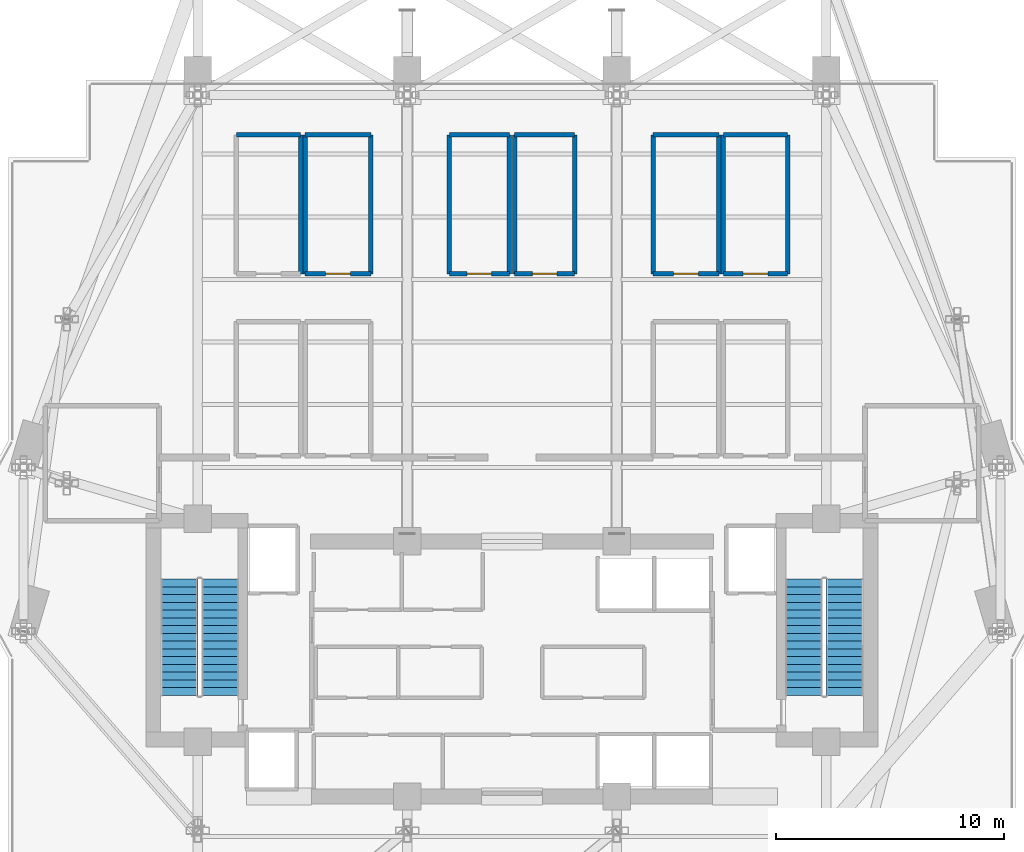
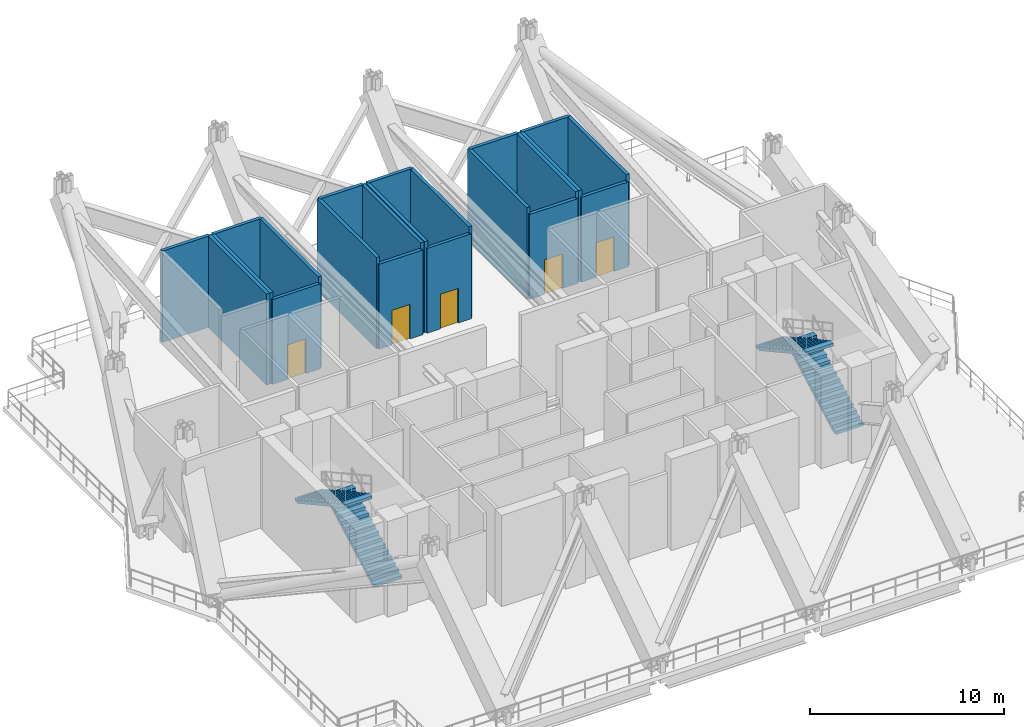
# One storey, part 14 of 18: 22 walls, 5 doors, 4 stair flights, 5 openings, 2 elements without a shape of their own.
"""IFC4 building model written with IfcOpenShell, lengths in metres."""

from ifc_helpers import new_model, si_unit, direction, frame, frame_2d, origin, place, context, subcontext, project, spatial, polyline, rectangle, outline, extrude, material, layer, layer_set, type_object, element, fill, aggregate, save


model = new_model("IFC4")

# Units and contexts
model_context = context("Model", 3, precision=1e-05, world=origin(), true_north=direction((0.0, 1.0)))
body_context = subcontext(model_context, "Body", "Model", "MODEL_VIEW")
ifc_project = project(units=[si_unit("LENGTHUNIT", "METRE"), si_unit("AREAUNIT", "SQUARE_METRE"), si_unit("VOLUMEUNIT", "CUBIC_METRE"), si_unit("PLANEANGLEUNIT", "RADIAN"), si_unit("MASSUNIT", "GRAM", prefix="KILO")], contexts=[model_context])

# Site, building, storey
site_placement = place(None, origin())
site = spatial("IfcSite", under=ifc_project, at=site_placement, CompositionType="ELEMENT")
building_placement = place(site_placement, origin())
building = spatial("IfcBuilding", under=site, at=building_placement, Name="Zuhayl Quay Hotel", CompositionType="ELEMENT")
storey_placement = place(building_placement, frame((0.0, 0.0, 233.64990234375)))
storey = spatial("IfcBuildingStorey", under=building, at=storey_placement, Name="L59", CompositionType="ELEMENT", Elevation=233.64990234375)

# Wall, opening, door
ifc_material_1 = material(Name="Gypsum Fireboard Assembly EI-120")
ifc_layer_1 = layer(ifc_material_1, 0.199951171875, Name="Gypsum Fireboard Assembly EI-120")
ifc_layer_set_1 = layer_set([ifc_layer_1], Name="Gypsum Fireboard Assembly EI-120")
wall_type = type_object("IfcWallType", Name="WL_PART_SHAFT_200", PredefinedType="PARTITIONING", material=ifc_layer_set_1)
wall_1_placement = place(storey_placement, frame((-9.080078125, 25.10009765625, 0.0), z_axis=(0.0, 0.0, 1.0), x_axis=(1.0, 0.0, 0.0)))
wall_1 = element("IfcWall", 1, at=wall_1_placement, inside=storey, type_object=wall_type, Name="L59 Partition IW_L59_MEP_SMK_S", PredefinedType="PARTITIONING", context=body_context, shape_type="SweptSolid", body=[
    extrude(rectangle(XDim=2.880126953125, YDim=0.199951171875, at=frame_2d((1.43994140625, 0.0))), origin(), (0.0, 0.0, 1.0), 5.336181640625),
])
opening_1_placement = place(wall_1_placement, frame((0.89990234375, 0.0, 0.0)))
opening_1 = element("IfcOpeningElement", 2, at=opening_1_placement, cuts=wall_1, Name="Opening D05A", PredefinedType="OPENING", context=body_context, shape_type="SweptSolid", body=[
    extrude(rectangle(XDim=1.080078125, YDim=2.179931640625, at=frame_2d((0.5400390625, 1.08984375))), frame((0.0, 0.10986328125, 0.0), z_axis=(0.0, -1.0, 0.0), x_axis=(1.0, 0.0, 0.0)), (0.0, 0.0, 1.0), 0.219970703125),
])
ifc_material_2 = material(Name="Solid Walnut Acoustic Fire Door")
door_type = type_object("IfcDoorType", Name="DR_INT_1100", OperationType="NOTDEFINED", PredefinedType="DOOR", material=ifc_material_2)
door_1_placement = place(opening_1_placement, origin())
door_1 = element("IfcDoor", 3, at=door_1_placement, inside=storey, type_object=door_type, Name="L59 Smoke-Extract Fan Plant Room Door", OperationType="SINGLE_SWING_LEFT", OverallHeight=2.179931640625, OverallWidth=1.080078125, PredefinedType="DOOR", context=body_context, shape_type="SweptSolid", body=[
    extrude(rectangle(XDim=1.080078125, YDim=2.179931640625, at=frame_2d((0.5400390625, 1.08984375))), frame((0.0, 0.02490234375, 0.0), z_axis=(0.0, -1.0, 0.0), x_axis=(1.0, 0.0, 0.0)), (0.0, 0.0, 1.0), 0.050048828125),
])
fill(opening_1, door_1)

wall_2_placement = place(storey_placement, frame((-2.75, 25.10009765625, 0.0), z_axis=(0.0, 0.0, 1.0), x_axis=(1.0, 0.0, 0.0)))
wall_2 = element("IfcWall", 4, at=wall_2_placement, inside=storey, type_object=wall_type, Name="L59 Partition IW_L59_MEP_HRC_S", PredefinedType="PARTITIONING", context=body_context, shape_type="SweptSolid", body=[
    extrude(rectangle(XDim=2.6298828125, YDim=0.199951171875, at=frame_2d((1.31494140625, 0.0))), origin(), (0.0, 0.0, 1.0), 5.336181640625),
])
opening_2_placement = place(wall_2_placement, frame((0.77490234375, 0.0, 0.0)))
opening_2 = element("IfcOpeningElement", 5, at=opening_2_placement, cuts=wall_2, Name="Opening D05A", PredefinedType="OPENING", context=body_context, shape_type="SweptSolid", body=[
    extrude(rectangle(XDim=1.080078125, YDim=2.179931640625, at=frame_2d((0.5400390625, 1.08984375))), frame((0.0, 0.10986328125, 0.0), z_axis=(0.0, -1.0, 0.0), x_axis=(1.0, 0.0, 0.0)), (0.0, 0.0, 1.0), 0.219970703125),
])
door_2_placement = place(opening_2_placement, origin())
door_2 = element("IfcDoor", 6, at=door_2_placement, inside=storey, type_object=door_type, Name="L59 Heat-Recovery Plant Room Door", OperationType="SINGLE_SWING_RIGHT", OverallHeight=2.179931640625, OverallWidth=1.080078125, PredefinedType="DOOR", context=body_context, shape_type="SweptSolid", body=[
    extrude(rectangle(XDim=1.080078125, YDim=2.179931640625, at=frame_2d((0.5400390625, 1.08984375))), frame((0.0, 0.02490234375, 0.0), z_axis=(0.0, -1.0, 0.0), x_axis=(1.0, 0.0, 0.0)), (0.0, 0.0, 1.0), 0.050048828125),
])
fill(opening_2, door_2)

wall_3_placement = place(storey_placement, frame((0.1201171875, 25.10009765625, 0.0), z_axis=(0.0, 0.0, 1.0), x_axis=(1.0, 0.0, 0.0)))
wall_3 = element("IfcWall", 7, at=wall_3_placement, inside=storey, type_object=wall_type, Name="L59 Partition IW_L59_MEP_BMS_S", PredefinedType="PARTITIONING", context=body_context, shape_type="SweptSolid", body=[
    extrude(rectangle(XDim=2.6298828125, YDim=0.199951171875, at=frame_2d((1.31494140625, 0.0))), origin(), (0.0, 0.0, 1.0), 5.336181640625),
])
opening_3_placement = place(wall_3_placement, frame((0.77490234375, 0.0, 0.0)))
opening_3 = element("IfcOpeningElement", 8, at=opening_3_placement, cuts=wall_3, Name="Opening D05A", PredefinedType="OPENING", context=body_context, shape_type="SweptSolid", body=[
    extrude(rectangle(XDim=1.080078125, YDim=2.179931640625, at=frame_2d((0.5400390625, 1.08984375))), frame((0.0, 0.10986328125, 0.0), z_axis=(0.0, -1.0, 0.0), x_axis=(1.0, 0.0, 0.0)), (0.0, 0.0, 1.0), 0.219970703125),
])
door_3_placement = place(opening_3_placement, origin())
door_3 = element("IfcDoor", 9, at=door_3_placement, inside=storey, type_object=door_type, Name="L59 BMS Plant Room Door", OperationType="SINGLE_SWING_LEFT", OverallHeight=2.179931640625, OverallWidth=1.080078125, PredefinedType="DOOR", context=body_context, shape_type="SweptSolid", body=[
    extrude(rectangle(XDim=1.080078125, YDim=2.179931640625, at=frame_2d((0.5400390625, 1.08984375))), frame((0.0, 0.02490234375, 0.0), z_axis=(0.0, -1.0, 0.0), x_axis=(1.0, 0.0, 0.0)), (0.0, 0.0, 1.0), 0.050048828125),
])
fill(opening_3, door_3)

wall_4_placement = place(storey_placement, frame((6.199951171875, 25.10009765625, 0.0), z_axis=(0.0, 0.0, 1.0), x_axis=(1.0, 0.0, 0.0)))
wall_4 = element("IfcWall", 10, at=wall_4_placement, inside=storey, type_object=wall_type, Name="L59 Partition IW_L59_MEP_PUMP_S", PredefinedType="PARTITIONING", context=body_context, shape_type="SweptSolid", body=[
    extrude(rectangle(XDim=2.880126953125, YDim=0.199951171875, at=frame_2d((1.43994140625, 0.0))), origin(), (0.0, 0.0, 1.0), 5.336181640625),
])
opening_4_placement = place(wall_4_placement, frame((0.89990234375, 0.0, 0.0)))
opening_4 = element("IfcOpeningElement", 11, at=opening_4_placement, cuts=wall_4, Name="Opening D05A", PredefinedType="OPENING", context=body_context, shape_type="SweptSolid", body=[
    extrude(rectangle(XDim=1.080078125, YDim=2.179931640625, at=frame_2d((0.5400390625, 1.08984375))), frame((0.0, 0.10986328125, 0.0), z_axis=(0.0, -1.0, 0.0), x_axis=(1.0, 0.0, 0.0)), (0.0, 0.0, 1.0), 0.219970703125),
])
door_4_placement = place(opening_4_placement, origin())
door_4 = element("IfcDoor", 12, at=door_4_placement, inside=storey, type_object=door_type, Name="L59 Booster Pump Plant Room Door", OperationType="SINGLE_SWING_RIGHT", OverallHeight=2.179931640625, OverallWidth=1.080078125, PredefinedType="DOOR", context=body_context, shape_type="SweptSolid", body=[
    extrude(rectangle(XDim=1.080078125, YDim=2.179931640625, at=frame_2d((0.5400390625, 1.08984375))), frame((0.0, 0.02490234375, 0.0), z_axis=(0.0, -1.0, 0.0), x_axis=(1.0, 0.0, 0.0)), (0.0, 0.0, 1.0), 0.050048828125),
])
fill(opening_4, door_4)

wall_5_placement = place(storey_placement, frame((9.280029296875, 25.10009765625, 0.0), z_axis=(0.0, 0.0, 1.0), x_axis=(1.0, 0.0, 0.0)))
wall_5 = element("IfcWall", 13, at=wall_5_placement, inside=storey, type_object=wall_type, Name="L59 Partition IW_L59_MEP_FIRE_S", PredefinedType="PARTITIONING", context=body_context, shape_type="SweptSolid", body=[
    extrude(rectangle(XDim=2.820068359375, YDim=0.199951171875, at=frame_2d((1.41015625, 0.0))), origin(), (0.0, 0.0, 1.0), 5.336181640625),
])
opening_5_placement = place(wall_5_placement, frame((0.8701171875, 0.0, 0.0)))
opening_5 = element("IfcOpeningElement", 14, at=opening_5_placement, cuts=wall_5, Name="Opening D05A", PredefinedType="OPENING", context=body_context, shape_type="SweptSolid", body=[
    extrude(rectangle(XDim=1.080078125, YDim=2.179931640625, at=frame_2d((0.5400390625, 1.08984375))), frame((0.0, 0.10986328125, 0.0), z_axis=(0.0, -1.0, 0.0), x_axis=(1.0, 0.0, 0.0)), (0.0, 0.0, 1.0), 0.219970703125),
])
door_5_placement = place(opening_5_placement, origin())
door_5 = element("IfcDoor", 15, at=door_5_placement, inside=storey, type_object=door_type, Name="L59 Fire Pump Plant Room Door", OperationType="SINGLE_SWING_LEFT", OverallHeight=2.179931640625, OverallWidth=1.080078125, PredefinedType="DOOR", context=body_context, shape_type="SweptSolid", body=[
    extrude(rectangle(XDim=1.080078125, YDim=2.179931640625, at=frame_2d((0.5400390625, 1.08984375))), frame((0.0, 0.02490234375, 0.0), z_axis=(0.0, -1.0, 0.0), x_axis=(1.0, 0.0, 0.0)), (0.0, 0.0, 1.0), 0.050048828125),
])
fill(opening_5, door_5)

# Walls
wall_6_placement = place(storey_placement, frame((-12.10009765625, 31.199951171875, 0.0), z_axis=(0.0, 0.0, 1.0), x_axis=(1.0, 0.0, 0.0)))
element("IfcWall", 16, at=wall_6_placement, inside=storey, type_object=wall_type, Name="L59 Partition IW_L59_MEP_ELEC_N", PredefinedType="PARTITIONING", context=body_context, shape_type="SweptSolid", body=[
    extrude(rectangle(XDim=2.820068359375, YDim=0.199951171875, at=frame_2d((1.41015625, 0.0))), origin(), (0.0, 0.0, 1.0), 5.739990234375),
])
wall_7_placement = place(storey_placement, frame((-9.280029296875, 25.10009765625, 0.0), z_axis=(0.0, 0.0, 1.0), x_axis=(0.0, 1.0, 0.0)))
element("IfcWall", 17, at=wall_7_placement, inside=storey, type_object=wall_type, Name="L59 Partition IW_L59_MEP_ELEC_E", PredefinedType="PARTITIONING", context=body_context, shape_type="SweptSolid", body=[
    extrude(rectangle(XDim=6.099853515625, YDim=0.199951171875, at=frame_2d((3.0498046875, 0.0))), origin(), (0.0, 0.0, 1.0), 5.739990234375),
])
wall_8_placement = place(storey_placement, frame((-9.080078125, 31.199951171875, 0.0), z_axis=(0.0, 0.0, 1.0), x_axis=(1.0, 0.0, 0.0)))
element("IfcWall", 18, at=wall_8_placement, inside=storey, type_object=wall_type, Name="L59 Partition IW_L59_MEP_SMK_N", PredefinedType="PARTITIONING", context=body_context, shape_type="SweptSolid", body=[
    extrude(rectangle(XDim=2.880126953125, YDim=0.199951171875, at=frame_2d((1.43994140625, 0.0))), origin(), (0.0, 0.0, 1.0), 5.739990234375),
])
for number, where, z_axis, x_axis, name in (
    (19, (-9.080078125, 25.10009765625, 0.0), (0.0, 0.0, 1.0), (0.0, 1.0, 0.0), "L59 Partition IW_L59_MEP_SMK_W"),
    (20, (-6.199951171875, 25.10009765625, 0.0), (0.0, 0.0, 1.0), (0.0, 1.0, 0.0), "L59 Partition IW_L59_MEP_SMK_E"),
):
    element("IfcWall", number, at=place(storey_placement, frame(where, z_axis=z_axis, x_axis=x_axis)), inside=storey, type_object=wall_type, Name=name, PredefinedType="PARTITIONING", context=body_context, shape_type="SweptSolid", body=[
        extrude(rectangle(XDim=6.099853515625, YDim=0.199951171875, at=frame_2d((3.0498046875, 0.0))), origin(), (0.0, 0.0, 1.0), 5.739990234375),
    ])
wall_9_placement = place(storey_placement, frame((-2.75, 31.199951171875, 0.0), z_axis=(0.0, 0.0, 1.0), x_axis=(1.0, 0.0, 0.0)))
element("IfcWall", 21, at=wall_9_placement, inside=storey, type_object=wall_type, Name="L59 Partition IW_L59_MEP_HRC_N", PredefinedType="PARTITIONING", context=body_context, shape_type="SweptSolid", body=[
    extrude(rectangle(XDim=2.6298828125, YDim=0.199951171875, at=frame_2d((1.31494140625, 0.0))), origin(), (0.0, 0.0, 1.0), 5.739990234375),
])
for number, where, z_axis, x_axis, name in (
    (22, (-2.75, 25.10009765625, 0.0), (0.0, 0.0, 1.0), (0.0, 1.0, 0.0), "L59 Partition IW_L59_MEP_HRC_W"),
    (23, (-0.1201171875, 25.10009765625, 0.0), (0.0, 0.0, 1.0), (0.0, 1.0, 0.0), "L59 Partition IW_L59_MEP_HRC_E"),
):
    element("IfcWall", number, at=place(storey_placement, frame(where, z_axis=z_axis, x_axis=x_axis)), inside=storey, type_object=wall_type, Name=name, PredefinedType="PARTITIONING", context=body_context, shape_type="SweptSolid", body=[
        extrude(rectangle(XDim=6.099853515625, YDim=0.199951171875, at=frame_2d((3.0498046875, 0.0))), origin(), (0.0, 0.0, 1.0), 5.739990234375),
    ])
wall_10_placement = place(storey_placement, frame((0.1201171875, 31.199951171875, 0.0), z_axis=(0.0, 0.0, 1.0), x_axis=(1.0, 0.0, 0.0)))
element("IfcWall", 24, at=wall_10_placement, inside=storey, type_object=wall_type, Name="L59 Partition IW_L59_MEP_BMS_N", PredefinedType="PARTITIONING", context=body_context, shape_type="SweptSolid", body=[
    extrude(rectangle(XDim=2.6298828125, YDim=0.199951171875, at=frame_2d((1.31494140625, 0.0))), origin(), (0.0, 0.0, 1.0), 5.739990234375),
])
for number, where, z_axis, x_axis, name in (
    (25, (0.1201171875, 25.10009765625, 0.0), (0.0, 0.0, 1.0), (0.0, 1.0, 0.0), "L59 Partition IW_L59_MEP_BMS_W"),
    (26, (2.75, 25.10009765625, 0.0), (0.0, 0.0, 1.0), (0.0, 1.0, 0.0), "L59 Partition IW_L59_MEP_BMS_E"),
):
    element("IfcWall", number, at=place(storey_placement, frame(where, z_axis=z_axis, x_axis=x_axis)), inside=storey, type_object=wall_type, Name=name, PredefinedType="PARTITIONING", context=body_context, shape_type="SweptSolid", body=[
        extrude(rectangle(XDim=6.099853515625, YDim=0.199951171875, at=frame_2d((3.0498046875, 0.0))), origin(), (0.0, 0.0, 1.0), 5.739990234375),
    ])
wall_11_placement = place(storey_placement, frame((6.199951171875, 31.199951171875, 0.0), z_axis=(0.0, 0.0, 1.0), x_axis=(1.0, 0.0, 0.0)))
element("IfcWall", 27, at=wall_11_placement, inside=storey, type_object=wall_type, Name="L59 Partition IW_L59_MEP_PUMP_N", PredefinedType="PARTITIONING", context=body_context, shape_type="SweptSolid", body=[
    extrude(rectangle(XDim=2.880126953125, YDim=0.199951171875, at=frame_2d((1.43994140625, 0.0))), origin(), (0.0, 0.0, 1.0), 5.739990234375),
])
for number, where, z_axis, x_axis, name in (
    (28, (6.199951171875, 25.10009765625, 0.0), (0.0, 0.0, 1.0), (0.0, 1.0, 0.0), "L59 Partition IW_L59_MEP_PUMP_W"),
    (29, (9.080078125, 25.10009765625, 0.0), (0.0, 0.0, 1.0), (0.0, 1.0, 0.0), "L59 Partition IW_L59_MEP_PUMP_E"),
):
    element("IfcWall", number, at=place(storey_placement, frame(where, z_axis=z_axis, x_axis=x_axis)), inside=storey, type_object=wall_type, Name=name, PredefinedType="PARTITIONING", context=body_context, shape_type="SweptSolid", body=[
        extrude(rectangle(XDim=6.099853515625, YDim=0.199951171875, at=frame_2d((3.0498046875, 0.0))), origin(), (0.0, 0.0, 1.0), 5.739990234375),
    ])
wall_12_placement = place(storey_placement, frame((9.280029296875, 31.199951171875, 0.0), z_axis=(0.0, 0.0, 1.0), x_axis=(1.0, 0.0, 0.0)))
element("IfcWall", 30, at=wall_12_placement, inside=storey, type_object=wall_type, Name="L59 Partition IW_L59_MEP_FIRE_N", PredefinedType="PARTITIONING", context=body_context, shape_type="SweptSolid", body=[
    extrude(rectangle(XDim=2.820068359375, YDim=0.199951171875, at=frame_2d((1.41015625, 0.0))), origin(), (0.0, 0.0, 1.0), 5.739990234375),
])
for number, where, z_axis, x_axis, name in (
    (31, (9.280029296875, 25.10009765625, 0.0), (0.0, 0.0, 1.0), (0.0, 1.0, 0.0), "L59 Partition IW_L59_MEP_FIRE_W"),
    (32, (12.10009765625, 25.10009765625, 0.0), (0.0, 0.0, 1.0), (0.0, 1.0, 0.0), "L59 Partition IW_L59_MEP_FIRE_E"),
):
    element("IfcWall", number, at=place(storey_placement, frame(where, z_axis=z_axis, x_axis=x_axis)), inside=storey, type_object=wall_type, Name=name, PredefinedType="PARTITIONING", context=body_context, shape_type="SweptSolid", body=[
        extrude(rectangle(XDim=6.099853515625, YDim=0.199951171875, at=frame_2d((3.0498046875, 0.0))), origin(), (0.0, 0.0, 1.0), 5.739990234375),
    ])

# Stair, stair flights
ifc_material_3 = material(Name="Concrete C45/55", Category="concrete")
stair_type = type_object("IfcStairType", Name="ST_DOGLEG_TOWER", PredefinedType="HALF_TURN_STAIR", material=ifc_material_3)
stair_1_placement = place(storey_placement, origin())
stair_1 = element("IfcStair", 33, at=stair_1_placement, inside=storey, type_object=stair_type, Name="L59 Smokeproof Exit Stair ST1", PredefinedType="HALF_TURN_STAIR")
ifc_layer_2 = layer(ifc_material_3, 0.159912109375, Name="Concrete C45/55", Category="concrete")
ifc_layer_set_2 = layer_set([ifc_layer_2], Name="Concrete C45/55")
stair_flight_type = type_object("IfcStairFlightType", Name="SF_CONC_164", PredefinedType="STRAIGHT", material=ifc_layer_set_2)
stair_flight_1_placement = place(storey_placement, frame((-12.820068359375, 6.590087890625, 0.0), z_axis=(0.0, 0.0, 1.0), x_axis=(0.0, 1.0, 0.0)))
stair_flight_1 = element("IfcStairFlight", 34, at=stair_flight_1_placement, type_object=stair_flight_type, Name="ST1 flight 1", NumberOfRisers=16, NumberOfTreads=15, PredefinedType="STRAIGHT", RiserHeight=0.1875, TreadLength=0.34, context=body_context, shape_type="SweptSolid", body=[
    extrude(outline(polyline([(0.0, 0.0), (0.0, 0.1875), (0.340087890625, 0.1875), (0.340087890625, 0.375), (0.679931640625, 0.375), (0.679931640625, 0.5625), (1.02001953125, 0.5625), (1.02001953125, 0.75), (1.360107421875, 0.75), (1.360107421875, 0.9375), (1.699951171875, 0.9375), (1.699951171875, 1.125), (2.0400390625, 1.125), (2.0400390625, 1.3125), (2.3798828125, 1.3125), (2.3798828125, 1.5), (2.719970703125, 1.5), (2.719970703125, 1.6875), (3.06005859375, 1.6875), (3.06005859375, 1.875), (3.39990234375, 1.875), (3.39990234375, 2.0625), (3.739990234375, 2.0625), (3.739990234375, 2.25), (4.080078125, 2.25), (4.080078125, 2.4375), (4.419921875, 2.4375), (4.419921875, 2.625), (4.760009765625, 2.625), (4.760009765625, 2.8125), (5.10009765625, 2.8125), (5.10009765625, 3.0), (5.10009765625, 2.641357421875), (0.310302734375, 0.0), (0.0, 0.0)])), frame((0.0, 0.81982421875, 0.0), z_axis=(0.0, -1.0, 0.0), x_axis=(1.0, 0.0, 0.0)), (0.0, 0.0, 1.0), 1.639892578125),
])
stair_flight_2_placement = place(storey_placement, frame((-14.610107421875, 11.68994140625, 3.0), z_axis=(0.0, 0.0, 1.0), x_axis=(0.0, -1.0, 0.0)))
stair_flight_2 = element("IfcStairFlight", 35, at=stair_flight_2_placement, type_object=stair_flight_type, Name="ST1 flight 2", NumberOfRisers=16, NumberOfTreads=15, PredefinedType="STRAIGHT", RiserHeight=0.1875, TreadLength=0.34, context=body_context, shape_type="SweptSolid", body=[
    extrude(outline(polyline([(0.0, 0.0), (0.0, 0.1875), (0.340087890625, 0.1875), (0.340087890625, 0.375), (0.679931640625, 0.375), (0.679931640625, 0.5625), (1.02001953125, 0.5625), (1.02001953125, 0.75), (1.360107421875, 0.75), (1.360107421875, 0.9375), (1.699951171875, 0.9375), (1.699951171875, 1.125), (2.0400390625, 1.125), (2.0400390625, 1.3125), (2.3798828125, 1.3125), (2.3798828125, 1.5), (2.719970703125, 1.5), (2.719970703125, 1.6875), (3.06005859375, 1.6875), (3.06005859375, 1.875), (3.39990234375, 1.875), (3.39990234375, 2.0625), (3.739990234375, 2.0625), (3.739990234375, 2.25), (4.080078125, 2.25), (4.080078125, 2.4375), (4.419921875, 2.4375), (4.419921875, 2.625), (4.760009765625, 2.625), (4.760009765625, 2.8125), (5.10009765625, 2.8125), (5.10009765625, 3.0), (5.10009765625, 2.641357421875), (0.310302734375, 0.0), (0.0, 0.0)])), frame((0.0, 0.81982421875, 0.0), z_axis=(0.0, -1.0, 0.0), x_axis=(1.0, 0.0, 0.0)), (0.0, 0.0, 1.0), 1.639892578125),
])
aggregate(stair_1, [stair_flight_1, stair_flight_2])

stair_2_placement = place(storey_placement, origin())
stair_2 = element("IfcStair", 36, at=stair_2_placement, inside=storey, type_object=stair_type, Name="L59 Smokeproof Exit Stair ST2", PredefinedType="HALF_TURN_STAIR")
stair_flight_3_placement = place(storey_placement, frame((14.610107421875, 6.590087890625, 0.0), z_axis=(0.0, 0.0, 1.0), x_axis=(0.0, 1.0, 0.0)))
stair_flight_3 = element("IfcStairFlight", 37, at=stair_flight_3_placement, type_object=stair_flight_type, Name="ST2 flight 1", NumberOfRisers=16, NumberOfTreads=15, PredefinedType="STRAIGHT", RiserHeight=0.1875, TreadLength=0.34, context=body_context, shape_type="SweptSolid", body=[
    extrude(outline(polyline([(0.0, 0.0), (0.0, 0.1875), (0.340087890625, 0.1875), (0.340087890625, 0.375), (0.679931640625, 0.375), (0.679931640625, 0.5625), (1.02001953125, 0.5625), (1.02001953125, 0.75), (1.360107421875, 0.75), (1.360107421875, 0.9375), (1.699951171875, 0.9375), (1.699951171875, 1.125), (2.0400390625, 1.125), (2.0400390625, 1.3125), (2.3798828125, 1.3125), (2.3798828125, 1.5), (2.719970703125, 1.5), (2.719970703125, 1.6875), (3.06005859375, 1.6875), (3.06005859375, 1.875), (3.39990234375, 1.875), (3.39990234375, 2.0625), (3.739990234375, 2.0625), (3.739990234375, 2.25), (4.080078125, 2.25), (4.080078125, 2.4375), (4.419921875, 2.4375), (4.419921875, 2.625), (4.760009765625, 2.625), (4.760009765625, 2.8125), (5.10009765625, 2.8125), (5.10009765625, 3.0), (5.10009765625, 2.641357421875), (0.310302734375, 0.0), (0.0, 0.0)])), frame((0.0, 0.81982421875, 0.0), z_axis=(0.0, -1.0, 0.0), x_axis=(1.0, 0.0, 0.0)), (0.0, 0.0, 1.0), 1.639892578125),
])
stair_flight_4_placement = place(storey_placement, frame((12.820068359375, 11.68994140625, 3.0), z_axis=(0.0, 0.0, 1.0), x_axis=(0.0, -1.0, 0.0)))
stair_flight_4 = element("IfcStairFlight", 38, at=stair_flight_4_placement, type_object=stair_flight_type, Name="ST2 flight 2", NumberOfRisers=16, NumberOfTreads=15, PredefinedType="STRAIGHT", RiserHeight=0.1875, TreadLength=0.34, context=body_context, shape_type="SweptSolid", body=[
    extrude(outline(polyline([(0.0, 0.0), (0.0, 0.1875), (0.340087890625, 0.1875), (0.340087890625, 0.375), (0.679931640625, 0.375), (0.679931640625, 0.5625), (1.02001953125, 0.5625), (1.02001953125, 0.75), (1.360107421875, 0.75), (1.360107421875, 0.9375), (1.699951171875, 0.9375), (1.699951171875, 1.125), (2.0400390625, 1.125), (2.0400390625, 1.3125), (2.3798828125, 1.3125), (2.3798828125, 1.5), (2.719970703125, 1.5), (2.719970703125, 1.6875), (3.06005859375, 1.6875), (3.06005859375, 1.875), (3.39990234375, 1.875), (3.39990234375, 2.0625), (3.739990234375, 2.0625), (3.739990234375, 2.25), (4.080078125, 2.25), (4.080078125, 2.4375), (4.419921875, 2.4375), (4.419921875, 2.625), (4.760009765625, 2.625), (4.760009765625, 2.8125), (5.10009765625, 2.8125), (5.10009765625, 3.0), (5.10009765625, 2.641357421875), (0.310302734375, 0.0), (0.0, 0.0)])), frame((0.0, 0.81982421875, 0.0), z_axis=(0.0, -1.0, 0.0), x_axis=(1.0, 0.0, 0.0)), (0.0, 0.0, 1.0), 1.639892578125),
])
aggregate(stair_2, [stair_flight_3, stair_flight_4])

save(model, "model.ifc")
